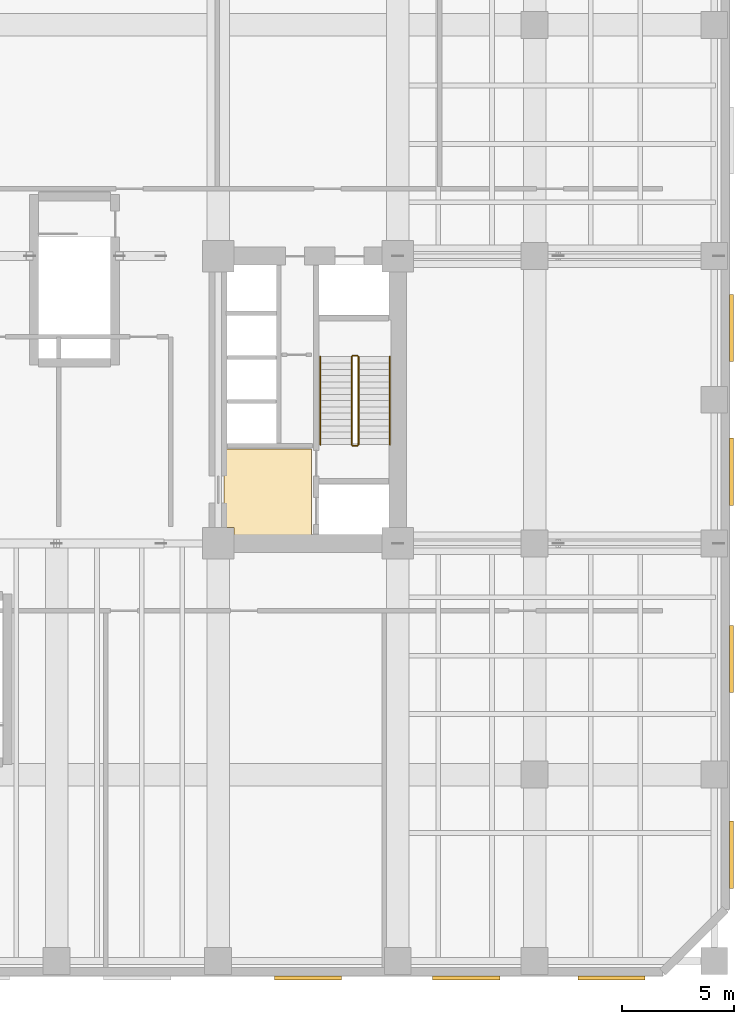
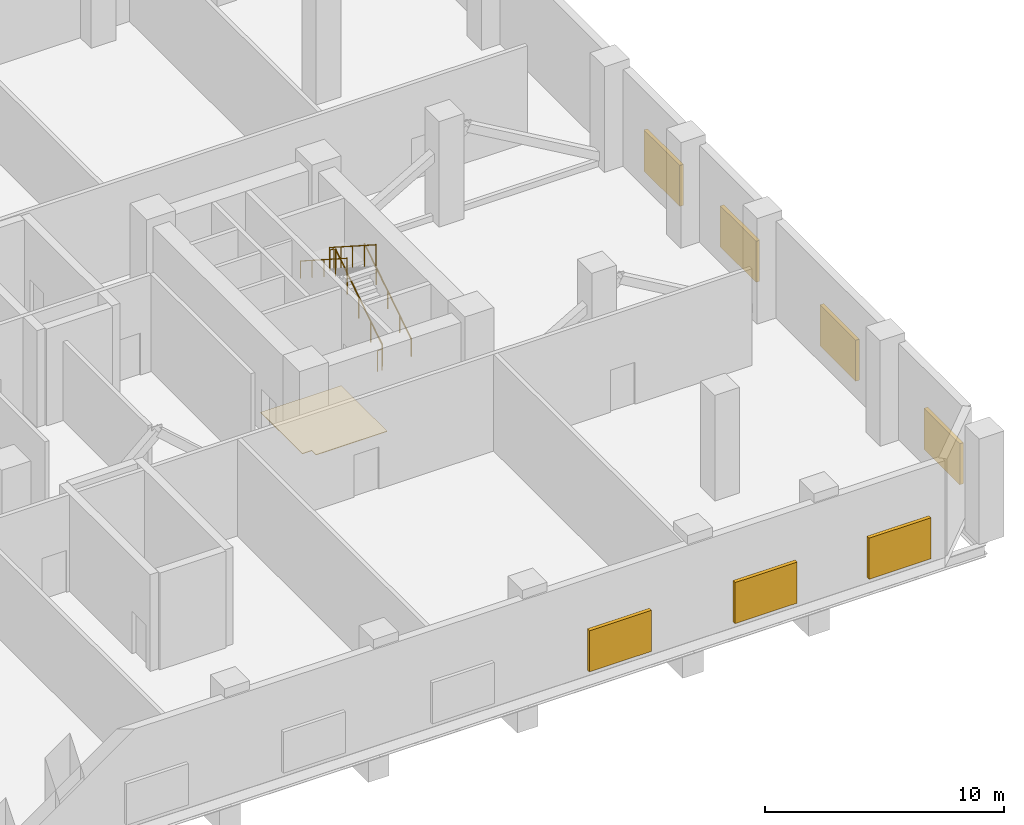
# One storey, part 12 of 13: 7 shading devices, 6 railings, 1 covering.
"""IFC4 building model written with IfcOpenShell, lengths in metres."""

from ifc_helpers import new_model, si_unit, direction, frame, origin, origin_2d, place, context, subcontext, project, spatial, polyline, rectangle, circle, outline, extrude, material, layer, layer_set, type_object, element, save


model = new_model("IFC4")

# Units and contexts
model_context = context("Model", 3, precision=1e-05, world=origin(), true_north=direction((0.0, 1.0)))
body_context = subcontext(model_context, "Body", "Model", "MODEL_VIEW")
ifc_project = project(units=[si_unit("LENGTHUNIT", "METRE"), si_unit("AREAUNIT", "SQUARE_METRE"), si_unit("VOLUMEUNIT", "CUBIC_METRE"), si_unit("PLANEANGLEUNIT", "RADIAN"), si_unit("MASSUNIT", "GRAM", prefix="KILO")], contexts=[model_context])

# Site, building, storey
site_placement = place(None, origin())
site = spatial("IfcSite", under=ifc_project, at=site_placement, CompositionType="ELEMENT")
building_placement = place(site_placement, origin())
building = spatial("IfcBuilding", under=site, at=building_placement, Name="Kranthara Brick Stack", CompositionType="ELEMENT")
storey_placement = place(building_placement, frame((0.0, 0.0, 18.89990234375)))
storey = spatial("IfcBuildingStorey", under=building, at=storey_placement, Name="L04", CompositionType="ELEMENT", Elevation=18.89990234375)

# Covering
ifc_material_1 = material(Name="Honed terrazzo and porcelain floor finish", Category="stone")
ifc_layer = layer(ifc_material_1, 0.030029296875)
ifc_layer_set = layer_set([ifc_layer], Name="Honed terrazzo and porcelain floor finish")
covering_type = type_object("IfcCoveringType", Name="COV-FLOR-STONE", PredefinedType="FLOORING", material=ifc_layer_set)
covering_placement = place(storey_placement, origin())
element("IfcCovering", 1, at=covering_placement, inside=storey, type_object=covering_type, Name="L04 Lift Lobby Stone Flooring", PredefinedType="FLOORING", context=body_context, shape_type="SweptSolid", body=[
    extrude(outline(polyline([(35.449951171875, 25.0), (39.35009765625, 25.0), (39.35009765625, 21.14990234375), (35.909912109375, 21.14990234375), (35.909912109375, 21.510009765625), (35.449951171875, 21.510009765625), (35.449951171875, 25.0)])), origin(), (0.0, 0.0, 1.0), 0.030029296875),
])

# Railings
ifc_material_2 = material(Name="Painted galvanized steel stair guardrail", Category="steel")
railing_type_1 = type_object("IfcRailingType", Name="RL-STAIR-GUARD-1100", PredefinedType="GUARDRAIL", material=ifc_material_2)
railing_1_placement = place(storey_placement, frame((41.449951171875, 25.199951171875, 0.18017578125)))
element("IfcRailing", 2, at=railing_1_placement, inside=storey, type_object=railing_type_1, Name="L04 ST02 stair guard 1", PredefinedType="GUARDRAIL", context=body_context, shape_type="SweptSolid", body=[
    extrude(circle(Radius=0.02392578125, at=origin_2d()), frame((0.0, 0.0, 1.076171875), z_axis=(0.0, 0.841186985886, 0.540744352514), x_axis=(-1.0, 0.0, 0.0)), (0.0, 0.0, 1.0), 4.660400390625),
    extrude(circle(Radius=0.02099609375, at=origin_2d()), origin(), (0.0, 0.0, 1.0), 1.052001953125),
    extrude(circle(Radius=0.02099609375, at=origin_2d()), frame((0.0, 0.97998046875, 0.6298828125)), (0.0, 0.0, 1.0), 1.052001953125),
    extrude(circle(Radius=0.02099609375, at=origin_2d()), frame((0.0, 1.9599609375, 1.260009765625)), (0.0, 0.0, 1.0), 1.052001953125),
    extrude(circle(Radius=0.02099609375, at=origin_2d()), frame((0.0, 2.940185546875, 1.89013671875)), (0.0, 0.0, 1.0), 1.052001953125),
    extrude(circle(Radius=0.02099609375, at=origin_2d()), frame((0.0, 3.920166015625, 2.52001953125)), (0.0, 0.0, 1.0), 1.052001953125),
])
railing_2_placement = place(storey_placement, frame((41.39990234375, 29.169921875, 2.7001953125)))
element("IfcRailing", 3, at=railing_2_placement, inside=storey, type_object=railing_type_1, Name="L04 ST02 stair guard 2", PredefinedType="GUARDRAIL", context=body_context, shape_type="SweptSolid", body=[
    extrude(circle(Radius=0.02392578125, at=origin_2d()), frame((0.0, 0.0, 1.076171875), z_axis=(-1.0, 0.0, 0.0), x_axis=(0.0, -1.0, 0.0)), (0.0, 0.0, 1.0), 0.199951171875),
    extrude(circle(Radius=0.02099609375, at=origin_2d()), origin(), (0.0, 0.0, 1.0), 1.052001953125),
    extrude(circle(Radius=0.02099609375, at=origin_2d()), frame((-0.199951171875, 0.0, 0.0)), (0.0, 0.0, 1.0), 1.052001953125),
])
railing_3_placement = place(storey_placement, frame((41.14990234375, 29.1201171875, 2.880126953125)))
element("IfcRailing", 4, at=railing_3_placement, inside=storey, type_object=railing_type_1, Name="L04 ST02 stair guard 3", PredefinedType="GUARDRAIL", context=body_context, shape_type="SweptSolid", body=[
    extrude(circle(Radius=0.02392578125, at=origin_2d()), frame((0.0, 0.0, 1.076171875), z_axis=(0.0, -0.841186985886, 0.540744352514), x_axis=(1.0, 0.0, 0.0)), (0.0, 0.0, 1.0), 4.660400390625),
    extrude(circle(Radius=0.02099609375, at=origin_2d()), origin(), (0.0, 0.0, 1.0), 1.052001953125),
    extrude(circle(Radius=0.02099609375, at=origin_2d()), frame((0.0, -0.97998046875, 0.6298828125)), (0.0, 0.0, 1.0), 1.052001953125),
    extrude(circle(Radius=0.02099609375, at=origin_2d()), frame((0.0, -1.9599609375, 1.260009765625)), (0.0, 0.0, 1.0), 1.052001953125),
    extrude(circle(Radius=0.02099609375, at=origin_2d()), frame((0.0, -2.940185546875, 1.89013671875)), (0.0, 0.0, 1.0), 1.052001953125),
    extrude(circle(Radius=0.02099609375, at=origin_2d()), frame((0.0, -3.920166015625, 2.52001953125)), (0.0, 0.0, 1.0), 1.052001953125),
])
railing_4_placement = place(storey_placement, frame((41.39990234375, 25.14990234375, 0.0)))
element("IfcRailing", 5, at=railing_4_placement, inside=storey, type_object=railing_type_1, Name="L04 ST02 stair guard 4", PredefinedType="GUARDRAIL", context=body_context, shape_type="SweptSolid", body=[
    extrude(circle(Radius=0.02392578125, at=origin_2d()), frame((0.0, 0.0, 1.076171875), z_axis=(-1.0, 0.0, 0.0), x_axis=(0.0, -1.0, 0.0)), (0.0, 0.0, 1.0), 0.199951171875),
    extrude(circle(Radius=0.02099609375, at=origin_2d()), origin(), (0.0, 0.0, 1.0), 1.052001953125),
    extrude(circle(Radius=0.02099609375, at=origin_2d()), frame((-0.199951171875, 0.0, 0.0)), (0.0, 0.0, 1.0), 1.052001953125),
])
ifc_material_3 = material(Name="Brushed stainless steel tubular handrail", Category="steel")
railing_type_2 = type_object("IfcRailingType", Name="RL-STAIR-HAND-900", PredefinedType="HANDRAIL", material=ifc_material_3)
railing_5_placement = place(storey_placement, frame((42.85009765625, 25.199951171875, 0.18017578125)))
element("IfcRailing", 6, at=railing_5_placement, inside=storey, type_object=railing_type_2, Name="L04 ST02 stair handrail 1", PredefinedType="HANDRAIL", context=body_context, shape_type="SweptSolid", body=[
    extrude(circle(Radius=0.02392578125, at=origin_2d()), frame((0.0, 0.0, 0.8759765625), z_axis=(0.0, 0.841186985886, 0.540744352514), x_axis=(-1.0, 0.0, 0.0)), (0.0, 0.0, 1.0), 4.660400390625),
    extrude(circle(Radius=0.02099609375, at=origin_2d()), origin(), (0.0, 0.0, 1.0), 0.851806640625),
    extrude(circle(Radius=0.02099609375, at=origin_2d()), frame((0.0, 0.97998046875, 0.6298828125)), (0.0, 0.0, 1.0), 0.851806640625),
    extrude(circle(Radius=0.02099609375, at=origin_2d()), frame((0.0, 1.9599609375, 1.260009765625)), (0.0, 0.0, 1.0), 0.851806640625),
    extrude(circle(Radius=0.02099609375, at=origin_2d()), frame((0.0, 2.940185546875, 1.89013671875)), (0.0, 0.0, 1.0), 0.851806640625),
    extrude(circle(Radius=0.02099609375, at=origin_2d()), frame((0.0, 3.920166015625, 2.52001953125)), (0.0, 0.0, 1.0), 0.851806640625),
])
railing_6_placement = place(storey_placement, frame((39.75, 29.1201171875, 2.880126953125)))
element("IfcRailing", 7, at=railing_6_placement, inside=storey, type_object=railing_type_2, Name="L04 ST02 stair handrail 2", PredefinedType="HANDRAIL", context=body_context, shape_type="SweptSolid", body=[
    extrude(circle(Radius=0.02392578125, at=origin_2d()), frame((0.0, 0.0, 0.8759765625), z_axis=(0.0, -0.841186985886, 0.540744352514), x_axis=(1.0, 0.0, 0.0)), (0.0, 0.0, 1.0), 4.660400390625),
    extrude(circle(Radius=0.02099609375, at=origin_2d()), origin(), (0.0, 0.0, 1.0), 0.851806640625),
    extrude(circle(Radius=0.02099609375, at=origin_2d()), frame((0.0, -0.97998046875, 0.6298828125)), (0.0, 0.0, 1.0), 0.851806640625),
    extrude(circle(Radius=0.02099609375, at=origin_2d()), frame((0.0, -1.9599609375, 1.260009765625)), (0.0, 0.0, 1.0), 0.851806640625),
    extrude(circle(Radius=0.02099609375, at=origin_2d()), frame((0.0, -2.940185546875, 1.89013671875)), (0.0, 0.0, 1.0), 0.851806640625),
    extrude(circle(Radius=0.02099609375, at=origin_2d()), frame((0.0, -3.920166015625, 2.52001953125)), (0.0, 0.0, 1.0), 0.851806640625),
])

# Shading devices
ifc_material_4 = material(Name="Bronze anodised aluminium acoustic louvre", Category="aluminium")
shading_device_type = type_object("IfcShadingDeviceType", Name="SHD-LOUVRE-PLANT", PredefinedType="JALOUSIE", material=ifc_material_4)
for number, where, z_axis, x_axis, name in (
    (8, (52.72509765625, 1.43994140625, 0.300048828125), (0.0, 0.0, 1.0), (-1.0, 0.0, 0.0), "L04 SOUTH Mechanical Louvre Bank 1"),
    (9, (46.25, 1.43994140625, 0.300048828125), (0.0, 0.0, 1.0), (-1.0, 0.0, 0.0), "L04 SOUTH Mechanical Louvre Bank 2"),
    (10, (39.199951171875, 1.43994140625, 0.300048828125), (0.0, 0.0, 1.0), (-1.0, 0.0, 0.0), "L04 SOUTH Mechanical Louvre Bank 3"),
    (11, (58.06005859375, 30.39990234375, 0.300048828125), (0.0, 0.0, 1.0), (0.0, -1.0, 0.0), "L04 EAST Mechanical Louvre Bank 3"),
    (12, (58.06005859375, 24.0, 0.300048828125), (0.0, 0.0, 1.0), (0.0, -1.0, 0.0), "L04 EAST Mechanical Louvre Bank 4"),
    (13, (58.06005859375, 15.64990234375, 0.300048828125), (0.0, 0.0, 1.0), (0.0, -1.0, 0.0), "L04 EAST Mechanical Louvre Bank 5"),
    (14, (58.06005859375, 6.925048828125, 0.300048828125), (0.0, 0.0, 1.0), (0.0, -1.0, 0.0), "L04 EAST Mechanical Louvre Bank 6"),
):
    element("IfcShadingDevice", number, at=place(storey_placement, frame(where, z_axis=z_axis, x_axis=x_axis)), inside=storey, type_object=shading_device_type, Name=name, PredefinedType="JALOUSIE", context=body_context, shape_type="SweptSolid", body=[
        extrude(rectangle(XDim=3.0, YDim=0.179931640625, at=origin_2d()), origin(), (0.0, 0.0, 1.0), 2.10009765625),
    ])

save(model, "model.ifc")
